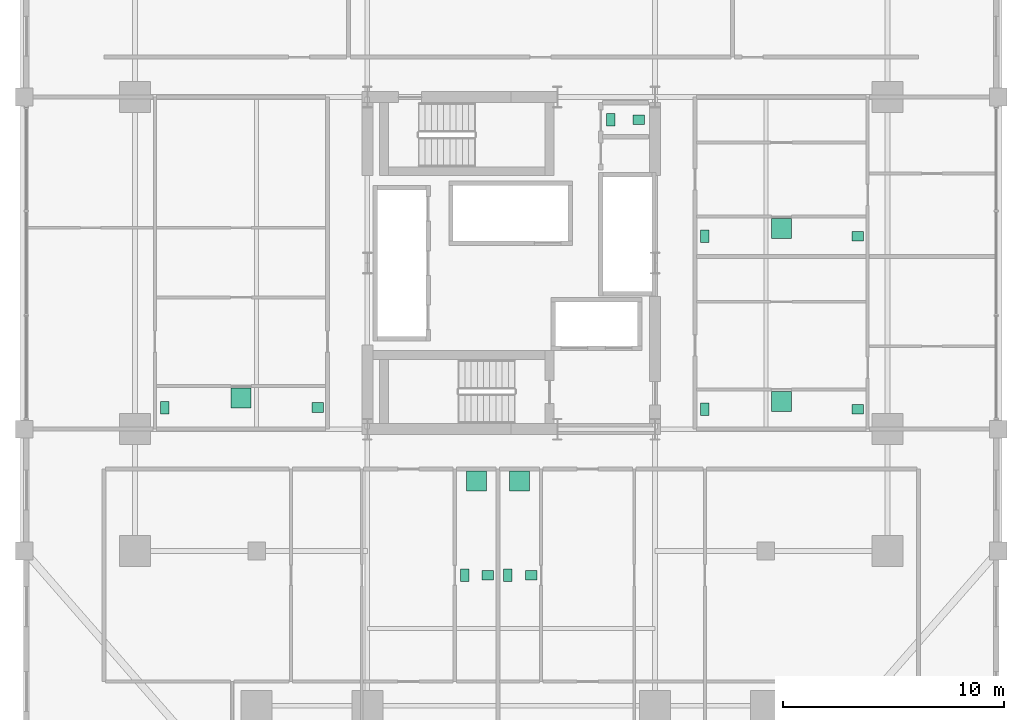
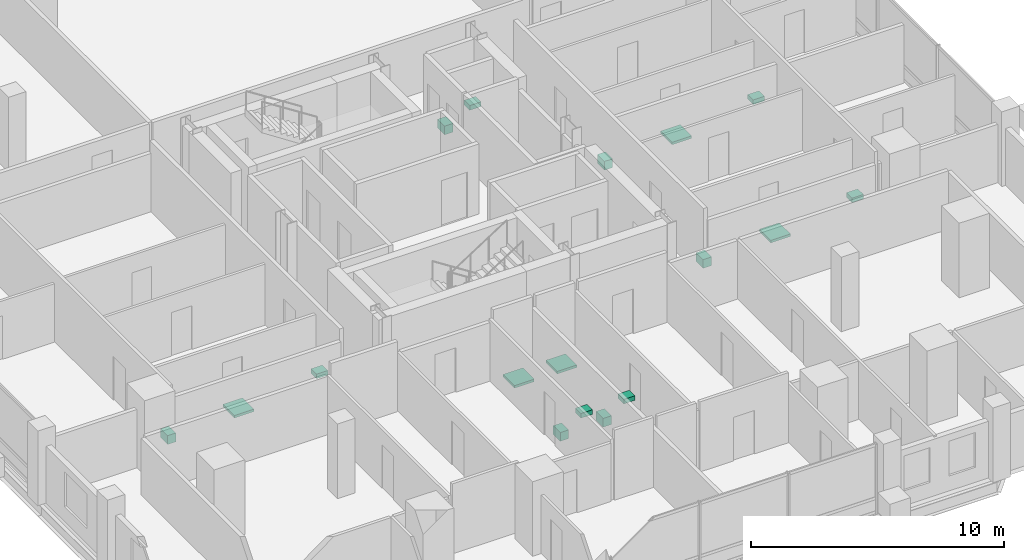
# One storey, part 23 of 23: 17 sanitary terminals.
"""IFC4 building model written with IfcOpenShell, lengths in metres."""

from ifc_helpers import new_model, si_unit, direction, frame, origin, origin_2d, place, context, subcontext, project, spatial, rectangle, extrude, material, type_object, element, save


model = new_model("IFC4")

# Units and contexts
model_context = context("Model", 3, precision=1e-05, world=origin(), true_north=direction((0.0, 1.0)))
body_context = subcontext(model_context, "Body", "Model", "MODEL_VIEW")
ifc_project = project(units=[si_unit("LENGTHUNIT", "METRE"), si_unit("AREAUNIT", "SQUARE_METRE"), si_unit("VOLUMEUNIT", "CUBIC_METRE"), si_unit("PLANEANGLEUNIT", "RADIAN"), si_unit("MASSUNIT", "GRAM", prefix="KILO")], contexts=[model_context])

# Site, building, storey
site_placement = place(None, origin())
site = spatial("IfcSite", under=ifc_project, at=site_placement, CompositionType="ELEMENT")
building_placement = place(site_placement, origin())
building = spatial("IfcBuilding", under=site, at=building_placement, Name="Barlavira Tower and Art Museum", CompositionType="ELEMENT")
storey_placement = place(building_placement, frame((0.0, 0.0, 75.60009765625)))
storey = spatial("IfcBuildingStorey", under=building, at=storey_placement, Name="L18", CompositionType="ELEMENT", Elevation=75.60009765625)

# Sanitary terminals
ifc_material = material(Name="Vitreous glazed ceramic", Category="ceramic")
sanitary_terminal_type_1 = type_object("IfcSanitaryTerminalType", Name="Countertop Ceramic Wash Hand Basin", PredefinedType="WASHHANDBASIN", material=ifc_material)
for number, where, z_axis, x_axis, name in (
    (1, (5.75, 6.47509765625, 0.73974609375), (0.0, 0.0, 1.0), (1.0, 0.0, 0.0), "L18-C-WC1 Wash Basin"),
    (2, (-1.050048828125, -14.10009765625, 0.73974609375), (0.0, 0.0, 1.0), (1.0, 0.0, 0.0), "L18-S1-BTH1 Wash Basin"),
    (3, (0.89990234375, -14.10009765625, 0.73974609375), (0.0, 0.0, 1.0), (1.0, 0.0, 0.0), "L18-S2-BTH1 Wash Basin"),
    (4, (-8.75, -6.52490234375, 0.73974609375), (0.0, 0.0, 1.0), (1.0, 0.0, 0.0), "L18-W1-BTH1 Wash Basin"),
    (5, (15.64990234375, -6.60009765625, 0.73974609375), (0.0, 0.0, 1.0), (1.0, 0.0, 0.0), "L18-E1-BTH1 Wash Basin"),
    (6, (15.64990234375, 1.2099609375, 0.73974609375), (0.0, 0.0, 1.0), (1.0, 0.0, 0.0), "L18-E2-BTH1 Wash Basin"),
):
    element("IfcSanitaryTerminal", number, at=place(storey_placement, frame(where, z_axis=z_axis, x_axis=x_axis)), inside=storey, type_object=sanitary_terminal_type_1, Name=name, PredefinedType="WASHHANDBASIN", context=body_context, shape_type="SweptSolid", body=[
        extrude(rectangle(XDim=0.52001953125, YDim=0.43994140625, at=origin_2d()), origin(), (0.0, 0.0, 1.0), 0.219970703125),
    ])
sanitary_terminal_type_2 = type_object("IfcSanitaryTerminalType", Name="Walk-In Thermostatic Rain Shower Unit", PredefinedType="SHOWER", material=ifc_material)
for number, where, z_axis, x_axis, name in (
    (7, (-1.574951171875, -9.85009765625, -0.000244140625), (0.0, 0.0, 1.0), (1.0, 0.0, 0.0), "L18-S1-BTH1 Rain Shower"),
    (8, (0.375, -9.85009765625, -0.000244140625), (0.0, 0.0, 1.0), (1.0, 0.0, 0.0), "L18-S2-BTH1 Rain Shower"),
    (9, (-12.199951171875, -6.10009765625, -0.000244140625), (0.0, 0.0, 1.0), (1.0, 0.0, 0.0), "L18-W1-BTH1 Rain Shower"),
    (10, (12.199951171875, -6.25, -0.000244140625), (0.0, 0.0, 1.0), (1.0, 0.0, 0.0), "L18-E1-BTH1 Rain Shower"),
    (11, (12.199951171875, 1.56005859375, -0.000244140625), (0.0, 0.0, 1.0), (1.0, 0.0, 0.0), "L18-E2-BTH1 Rain Shower"),
):
    element("IfcSanitaryTerminal", number, at=place(storey_placement, frame(where, z_axis=z_axis, x_axis=x_axis)), inside=storey, type_object=sanitary_terminal_type_2, Name=name, PredefinedType="SHOWER", context=body_context, shape_type="SweptSolid", body=[
        extrude(rectangle(XDim=0.89990234375, YDim=0.89990234375, at=origin_2d()), origin(), (0.0, 0.0, 1.0), 0.1201171875),
    ])
sanitary_terminal_type_3 = type_object("IfcSanitaryTerminalType", Name="Wall-Hung Dual-Flush Vitreous WC Pan", PredefinedType="TOILETPAN", material=ifc_material)
for number, where, z_axis, x_axis, name in (
    (12, (4.5, 6.47509765625, 0.0), (0.0, 0.0, 1.0), (1.0, 0.0, 0.0), "L18-C-WC1 WC Pan"),
    (13, (-2.10009765625, -14.10009765625, 0.0), (0.0, 0.0, 1.0), (1.0, 0.0, 0.0), "L18-S1-BTH1 WC Pan"),
    (14, (-0.14990234375, -14.10009765625, 0.0), (0.0, 0.0, 1.0), (1.0, 0.0, 0.0), "L18-S2-BTH1 WC Pan"),
    (15, (-15.64990234375, -6.52490234375, 0.0), (0.0, 0.0, 1.0), (1.0, 0.0, 0.0), "L18-W1-BTH1 WC Pan"),
    (16, (8.75, -6.60009765625, 0.0), (0.0, 0.0, 1.0), (1.0, 0.0, 0.0), "L18-E1-BTH1 WC Pan"),
    (17, (8.75, 1.2099609375, 0.0), (0.0, 0.0, 1.0), (1.0, 0.0, 0.0), "L18-E2-BTH1 WC Pan"),
):
    element("IfcSanitaryTerminal", number, at=place(storey_placement, frame(where, z_axis=z_axis, x_axis=x_axis)), inside=storey, type_object=sanitary_terminal_type_3, Name=name, PredefinedType="TOILETPAN", context=body_context, shape_type="SweptSolid", body=[
        extrude(rectangle(XDim=0.3798828125, YDim=0.56005859375, at=origin_2d()), origin(), (0.0, 0.0, 1.0), 0.419921875),
    ])

save(model, "model.ifc")
